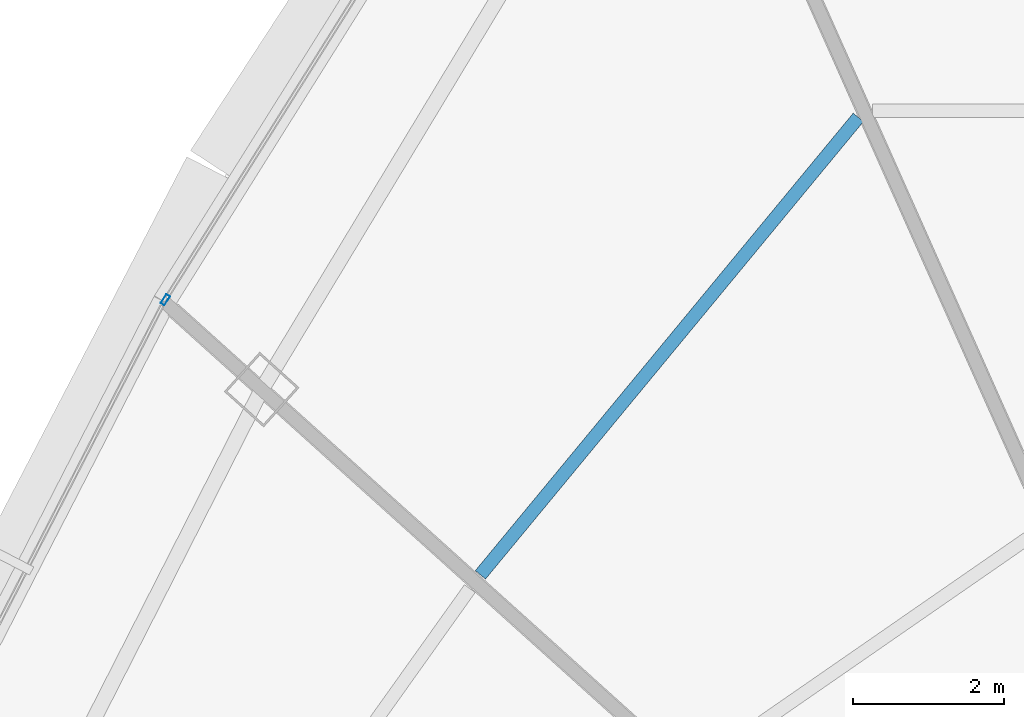
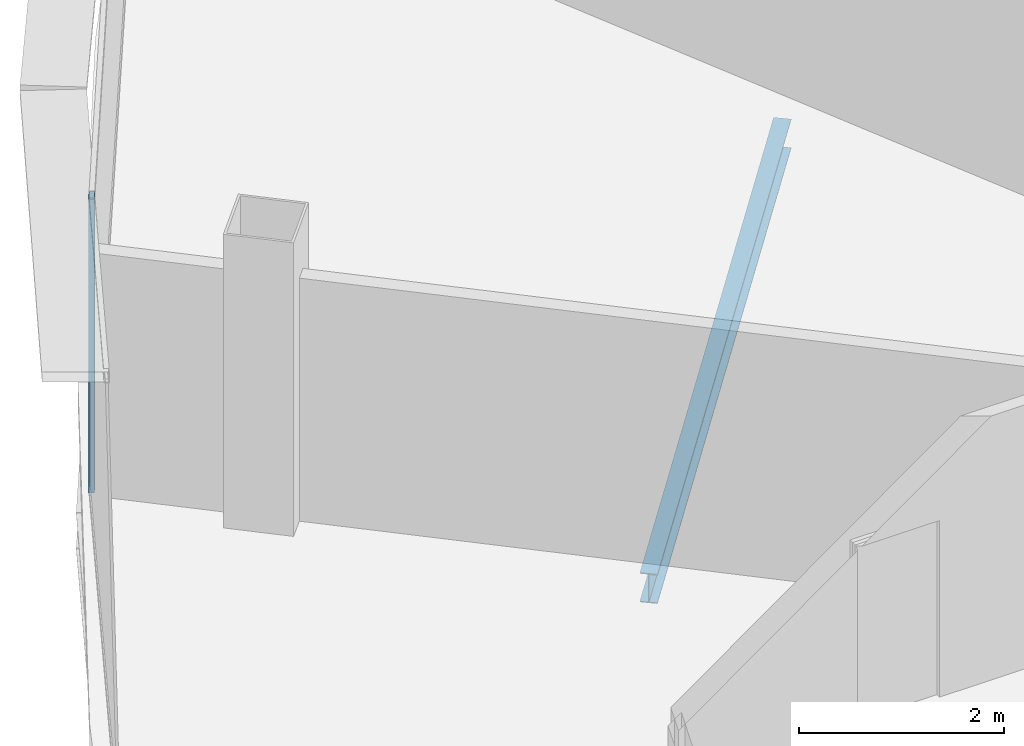
# One storey, part 8 of 29: 1 beam, 1 member, 1 element without a shape of its own.
"""IFC4 building model written with IfcOpenShell, lengths in metres."""

from ifc_helpers import new_model, si_unit, direction, frame, origin, origin_2d, place, context, subcontext, project, spatial, hollow_rectangle, i_section, extrude, source, transform, mapped, material, layer, layer_set, material_profile, profile_set, type_object, element, aggregate, save


model = new_model("IFC4")

# Units and contexts
model_context = context("Model", 3, precision=1e-05, world=origin(), true_north=direction((0.0, 1.0)))
body_context = subcontext(model_context, "Body", "Model", "MODEL_VIEW")
ifc_project = project(units=[si_unit("LENGTHUNIT", "METRE"), si_unit("AREAUNIT", "SQUARE_METRE"), si_unit("VOLUMEUNIT", "CUBIC_METRE"), si_unit("PLANEANGLEUNIT", "RADIAN"), si_unit("MASSUNIT", "GRAM", prefix="KILO"), si_unit("THERMODYNAMICTEMPERATUREUNIT", "KELVIN"), si_unit("POWERUNIT", "WATT")], contexts=[model_context])

# Site, building, storey
site_placement = place(None, origin())
site = spatial("IfcSite", under=ifc_project, at=site_placement, CompositionType="ELEMENT")
building_placement = place(site_placement, origin())
building = spatial("IfcBuilding", under=site, at=building_placement, Name="Yunzhuo Pagoda Commons", CompositionType="ELEMENT")
storey_placement = place(building_placement, frame((0.0, 0.0, 359.260009765625)))
storey = spatial("IfcBuildingStorey", under=building, at=storey_placement, Name="L90", CompositionType="ELEMENT", Elevation=359.260009765625)

# Beam
ifc_material_1 = material(Name="Structural steel Q355B", Category="steel")
ifc_material_profile_1 = material_profile(ifc_material_1, i_section(OverallWidth=0.175048828125, OverallDepth=0.35009765625, WebThickness=0.007080078125, FlangeThickness=0.010986328125, at=origin_2d()), Name="Structural steel Q355B")
ifc_profile_set_1 = profile_set([ifc_material_profile_1], Name="Structural steel Q355B")
beam_type = type_object("IfcBeamType", Name="B-JS2 Joist HN 350x175x7x11", PredefinedType="JOIST", material=ifc_profile_set_1)
shared_shape_1 = source(origin(), body_context, "Body", "SweptSolid", [
    extrude(i_section(OverallWidth=0.175048828125, OverallDepth=0.35009765625, WebThickness=0.007080078125, FlangeThickness=0.010986328125, at=origin_2d()), origin(), (0.0, 0.0, 1.0), 7.842529296875),
])
beam_placement = place(storey_placement, frame((39.861328125, 51.726318359375, -0.43505859375), z_axis=(-0.636899145749, -0.770947130577, 0.0), x_axis=(0.770947130577, -0.636899145749, 0.0)))
element("IfcBeam", 1, at=beam_placement, inside=storey, type_object=beam_type, Name="L90 composite ring joist 2.9", PredefinedType="JOIST", context=body_context, shape_type="MappedRepresentation", body=[
    mapped(shared_shape_1, transform((0.0, 0.0, 0.0), scale=1.0)),
])

# Curtain wall, member
ifc_material_2 = material(Name="Anodized aluminium 6063-T6", Category="aluminium")
ifc_layer = layer(ifc_material_2, 0.139892578125)
ifc_layer_set = layer_set([ifc_layer], Name="Anodized aluminium 6063-T6")
curtain_wall_type = type_object("IfcCurtainWallType", Name="CW-HI High-Zone Ribbon Curtain Wall", PredefinedType="NOTDEFINED", material=ifc_layer_set)
curtain_wall_placement = place(storey_placement, origin())
curtain_wall = element("IfcCurtainWall", 2, at=curtain_wall_placement, inside=storey, type_object=curtain_wall_type, Name="L90 curtain wall CW-L90-F3B2", PredefinedType="NOTDEFINED")
ifc_material_profile_2 = material_profile(ifc_material_2, hollow_rectangle(XDim=0.06005859375, YDim=0.139892578125, WallThickness=0.00341796875, at=origin_2d()), Name="Anodized aluminium 6063-T6")
ifc_profile_set_2 = profile_set([ifc_material_profile_2], Name="Anodized aluminium 6063-T6")
member_type = type_object("IfcMemberType", Name="CW-HI-M Mullion RHS 140x60x3.5", PredefinedType="MULLION", material=ifc_profile_set_2)
shared_shape_2 = source(origin(), body_context, "Body", "SweptSolid", [
    extrude(hollow_rectangle(XDim=0.06005859375, YDim=0.139892578125, WallThickness=0.00341796875, at=origin_2d()), origin(), (0.0, 0.0, 1.0), 3.489990234375),
])
member_placement = place(storey_placement, frame((30.701416015625, 49.3154296875, 0.0), z_axis=(0.0, 0.0, 1.0), x_axis=(0.847272854146, -0.531157896135, 0.0)))
member = element("IfcMember", 3, at=member_placement, type_object=member_type, Name="CW mullion 2", PredefinedType="MULLION", context=body_context, shape_type="MappedRepresentation", body=[
    mapped(shared_shape_2, transform((0.0, 0.0, 0.0), scale=1.0)),
])
aggregate(curtain_wall, [member])

save(model, "model.ifc")
